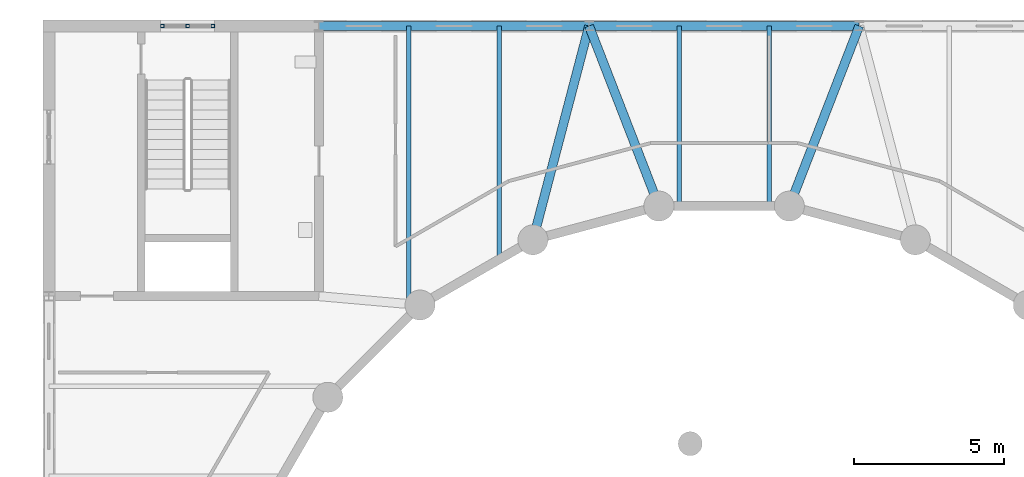
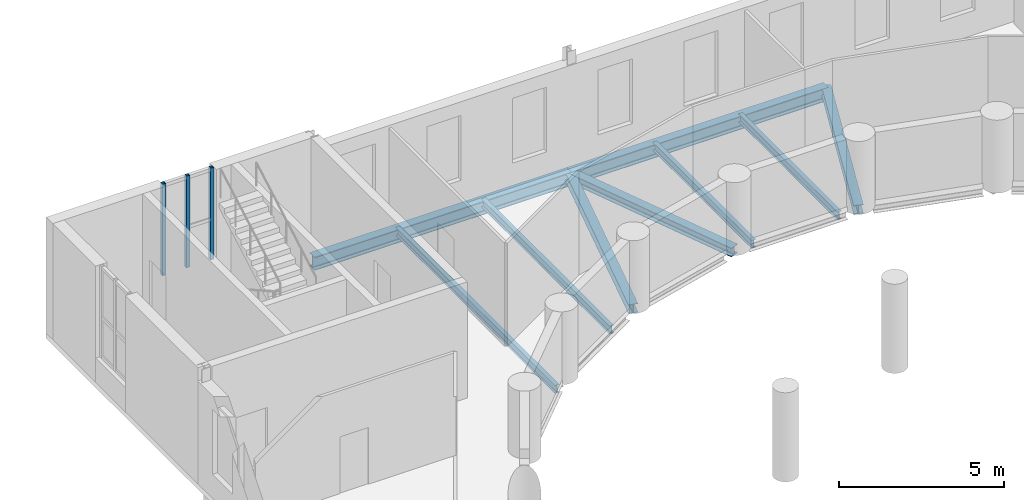
# One storey, part 48 of 134: 9 beams, 3 members, 1 element without a shape of its own.
"""IFC4 building model written with IfcOpenShell, lengths in metres."""

import ifcopenshell
import ifcopenshell.guid

model = None  # the IFC model being written
_history = None  # IfcOwnerHistory: only IFC2X3 demands one
_inside = {}  # id of a spatial element -> (the spatial element, [elements in it])
_under = {}  # id of a project, library or spatial element -> (it, [spatial elements below it])
_declared = {}  # id of a project -> (the project, [libraries it declares])
_typed = {}  # id of a type object -> (the type object, [elements of that type])
_made_of = {}  # id of a material, layer set ... -> (it, [elements and type objects made of it])


def new_model(schema):
    """Start an empty IFC model of exactly this schema.

    Asked for "IFC4X3", IfcOpenShell would pick the latest addendum, in which some entities
    have other attributes; the version numbers below select the first issue.
    IFC2X3 requires an IfcOwnerHistory on every rooted entity: one is made here for all.
    """
    global model, _history
    if schema == "IFC4X3":
        model = ifcopenshell.file(schema_version=(4, 3, 0, 0))
    else:
        model = ifcopenshell.file(schema=schema)
    _inside.clear()
    _under.clear()
    _declared.clear()
    _typed.clear()
    _made_of.clear()
    _history = None
    if model.schema == "IFC2X3":
        org = make("IfcOrganization", Name="unknown")
        user = make(
            "IfcPersonAndOrganization",
            ThePerson=make("IfcPerson", FamilyName="unknown"),
            TheOrganization=org,
        )
        app = make(
            "IfcApplication",
            ApplicationDeveloper=org,
            Version="unknown",
            ApplicationFullName="unknown",
            ApplicationIdentifier="unknown",
        )
        _history = make(
            "IfcOwnerHistory",
            OwningUser=user,
            OwningApplication=app,
            ChangeAction="ADDED",
            CreationDate=0,
        )
    return model


def make(cls, **values):
    """One entity of the class cls with the attributes given. An attribute that is None is left unset."""
    return model.create_entity(
        cls, **{name: value for name, value in values.items() if value is not None}
    )


def rooted(cls, **values):
    """An entity with a GlobalId (a new one), such as an element, a storey or a relation."""
    return make(cls, GlobalId=ifcopenshell.guid.new(), OwnerHistory=_history, **values)


def si_unit(unit_type, name, prefix=None):
    """IfcSIUnit, for example si_unit("LENGTHUNIT", "METRE", prefix="MILLI")."""
    return make("IfcSIUnit", UnitType=unit_type, Prefix=prefix, Name=name)


def assignment(units):
    """IfcUnitAssignment: the units of a project."""
    return None if units is None else make("IfcUnitAssignment", Units=units)


def point(xyz):
    """IfcCartesianPoint."""
    return None if xyz is None else make("IfcCartesianPoint", Coordinates=xyz)


def direction(xyz):
    """IfcDirection."""
    return None if xyz is None else make("IfcDirection", DirectionRatios=xyz)


def frame(location, z_axis=None, x_axis=None):
    """IfcAxis2Placement3D, a coordinate frame: its origin and axes. An axis left out is left unset."""
    return make(
        "IfcAxis2Placement3D",
        Location=point(location),
        Axis=direction(z_axis),
        RefDirection=direction(x_axis),
    )


def frame_2d(location, x_axis=None):
    """IfcAxis2Placement2D, a coordinate frame in the plane: its origin and x axis."""
    return make(
        "IfcAxis2Placement2D", Location=point(location), RefDirection=direction(x_axis)
    )


def origin():
    """The frame at (0, 0, 0) with its axes left unset."""
    return frame((0.0, 0.0, 0.0))


def origin_2d():
    """The frame at (0, 0) in the plane with its x axis left unset."""
    return frame_2d((0.0, 0.0))


def place(relative_to, where):
    """IfcLocalPlacement: puts the frame where relative to a parent placement (None: the world)."""
    return make(
        "IfcLocalPlacement", PlacementRelTo=relative_to, RelativePlacement=where
    )


def context(
    kind, dimensions, precision=None, world=None, true_north=None, identifier=None
):
    """IfcGeometricRepresentationContext, for example the 3D "Model" context."""
    return make(
        "IfcGeometricRepresentationContext",
        ContextIdentifier=identifier,
        ContextType=kind,
        CoordinateSpaceDimension=dimensions,
        Precision=precision,
        WorldCoordinateSystem=world,
        TrueNorth=true_north,
    )


def subcontext(parent, identifier, kind, view, scale=None):
    """IfcGeometricRepresentationSubContext, for example "Body" below "Model"."""
    return make(
        "IfcGeometricRepresentationSubContext",
        ContextIdentifier=identifier,
        ContextType=kind,
        ParentContext=parent,
        TargetScale=scale,
        TargetView=view,
    )


def project(units=None, contexts=None):
    """IfcProject with its units and contexts."""
    return rooted(
        "IfcProject",
        Name="project",
        RepresentationContexts=contexts,
        UnitsInContext=assignment(units),
    )


def spatial(cls, under=None, at=None, **own):
    """A site, building, storey or space (cls), placed at a placement, below another one or the project."""
    s = rooted(cls, ObjectPlacement=at, **own)
    if under is not None:
        _under.setdefault(under.id(), (under, []))[1].append(s)
    return s


def profile(cls, at=None, kind="AREA", **sizes):
    """A parametric profile (cls). Its sizes go by their IFC names, for example OverallWidth=200.0."""
    return make(cls, ProfileType=kind, Position=at, **sizes)


def hollow_rectangle(**sizes):
    """IfcRectangleHollowProfileDef."""
    return profile("IfcRectangleHollowProfileDef", **sizes)


def i_section(**sizes):
    """IfcIShapeProfileDef."""
    return profile("IfcIShapeProfileDef", **sizes)


def extrude(swept, where, along, depth):
    """IfcExtrudedAreaSolid: the profile swept, set in the frame where, extruded along a direction by depth."""
    return make(
        "IfcExtrudedAreaSolid",
        SweptArea=swept,
        Position=where,
        ExtrudedDirection=direction(along),
        Depth=depth,
    )


def shape(context_of_items, identifier, shape_type, items):
    """IfcShapeRepresentation: the items that make up one representation, for example the "Body"."""
    return make(
        "IfcShapeRepresentation",
        ContextOfItems=context_of_items,
        RepresentationIdentifier=identifier,
        RepresentationType=shape_type,
        Items=items,
    )


def material(Name=None, Category=None):
    """IfcMaterial."""
    return make("IfcMaterial", Name=Name, Category=Category)


def material_profile(
    of_material, cross_section, Name=None, Category=None, Priority=None
):
    """IfcMaterialProfile: a cross section and its material."""
    return make(
        "IfcMaterialProfile",
        Name=Name,
        Material=of_material,
        Profile=cross_section,
        Priority=Priority,
        Category=Category,
    )


def profile_set(profiles, Name=None, composite=None):
    """IfcMaterialProfileSet."""
    return make(
        "IfcMaterialProfileSet",
        Name=Name,
        MaterialProfiles=profiles,
        CompositeProfile=composite,
    )


def made_of(thing, what):
    """Note that an element or type object is made of a material, layer set ...; save() writes the relation."""
    if what is not None:
        _made_of.setdefault(what.id(), (what, []))[1].append(thing)
    return thing


def type_object(cls, material=None, **own):
    """A type object (cls), such as IfcWallType, which elements share."""
    return made_of(rooted(cls, **own), material)


def element(
    cls,
    number,
    at=None,
    inside=None,
    cuts=None,
    type_object=None,
    material=None,
    context=None,
    identifier="Body",
    shape_type=None,
    held_by="IfcProductDefinitionShape",
    body=None,
    shapes=None,
    **own,
):
    """One element of the class cls, such as IfcWall. Its Tag is "e" and its number.

    at: its placement. inside: the storey or other place that contains it. cuts: it is an
    opening in that element (IfcRelVoidsElement). A single representation is given by context,
    identifier, shape_type and body (its items); several are given by shapes. held_by: the class
    of the entity that holds the representations. save() writes the other relations.
    """
    e = rooted(cls, Tag="e%d" % number, ObjectPlacement=at, **own)
    if body is not None:
        shapes = [shape(context, identifier, shape_type, body)]
    if shapes is not None:
        e.Representation = make(held_by, Representations=shapes)
    if inside is not None:
        _inside.setdefault(inside.id(), (inside, []))[1].append(e)
    if cuts is not None:
        rooted(
            "IfcRelVoidsElement", RelatingBuildingElement=cuts, RelatedOpeningElement=e
        )
    if type_object is not None:
        _typed.setdefault(type_object.id(), (type_object, []))[1].append(e)
    return made_of(e, material)


def aggregate(whole, parts):
    """IfcRelAggregates: a whole, such as a stair, and the parts it consists of."""
    return rooted("IfcRelAggregates", RelatingObject=whole, RelatedObjects=parts)


def save(model, path):
    """Write the relations noted so far, then the file.

    IfcRelAggregates (storeys below a building ...), IfcRelContainedInSpatialStructure (elements
    in a storey), IfcRelDefinesByType, IfcRelAssociatesMaterial and IfcRelDeclares: one each for
    every whole, place, type object, material and project.
    """
    for whole, parts in _under.values():
        aggregate(whole, parts)
    for where, things in _inside.values():
        rooted(
            "IfcRelContainedInSpatialStructure",
            RelatedElements=things,
            RelatingStructure=where,
        )
    for kind, things in _typed.values():
        rooted("IfcRelDefinesByType", RelatedObjects=things, RelatingType=kind)
    for what, things in _made_of.values():
        rooted("IfcRelAssociatesMaterial", RelatedObjects=things, RelatingMaterial=what)
    for by, libraries in _declared.values():
        rooted("IfcRelDeclares", RelatingContext=by, RelatedDefinitions=libraries)
    model.write(path)


model = new_model("IFC4")

# Units and contexts
model_context = context("Model", 3, precision=1e-05, world=origin(), true_north=direction((0.0, 1.0)))
body_context = subcontext(model_context, "Body", "Model", "MODEL_VIEW")
ifc_project = project(units=[si_unit("LENGTHUNIT", "METRE"), si_unit("AREAUNIT", "SQUARE_METRE"), si_unit("VOLUMEUNIT", "CUBIC_METRE"), si_unit("PLANEANGLEUNIT", "RADIAN"), si_unit("MASSUNIT", "GRAM", prefix="KILO")], contexts=[model_context])

# Site, building, storey
site_placement = place(None, origin())
site = spatial("IfcSite", under=ifc_project, at=site_placement, CompositionType="ELEMENT")
building_placement = place(site_placement, origin())
building = spatial("IfcBuilding", under=site, at=building_placement, Name="Golden Quay Civic Hall", CompositionType="ELEMENT")
storey_placement = place(building_placement, frame((0.0, 0.0, 5.39990234375)))
storey = spatial("IfcBuildingStorey", under=building, at=storey_placement, Name="L01", CompositionType="ELEMENT", Elevation=5.39990234375)

# Curtain wall, members
ifc_material_1 = material(Name="Fire-resisting glass and steel", Category="steel")
curtain_wall_type = type_object("IfcCurtainWallType", Name="Fire-resisting glazed stair curtain wall EI 120", PredefinedType="NOTDEFINED", material=ifc_material_1)
curtain_wall_placement = place(storey_placement, origin())
curtain_wall = element("IfcCurtainWall", 1, at=curtain_wall_placement, inside=storey, type_object=curtain_wall_type, Name="CW4 stair curtain wall", PredefinedType="NOTDEFINED")
ifc_material_2 = material(Name="Steel S355", Category="steel")
ifc_material_profile_1 = material_profile(ifc_material_2, hollow_rectangle(XDim=0.1201171875, YDim=0.1201171875, WallThickness=0.012451171875, at=origin_2d()), Name="SHS 120x120x12.5")
ifc_profile_set_1 = profile_set([ifc_material_profile_1], Name="Steel S355")
member_type = type_object("IfcMemberType", Name="Fire-resisting steel stair mullion 120 x 120", PredefinedType="MULLION", material=ifc_profile_set_1)
member_1_placement = place(storey_placement, frame((66.784912109375, 108.0, 0.900146484375), z_axis=(0.0, 0.0, 1.0), x_axis=(0.0, 1.0, 0.0)))
member_1 = element("IfcMember", 2, at=member_1_placement, type_object=member_type, Name="CW4 mullion 1", PredefinedType="MULLION", context=body_context, shape_type="SweptSolid", body=[
    extrude(hollow_rectangle(XDim=0.1201171875, YDim=0.1201171875, WallThickness=0.012451171875, at=origin_2d()), origin(), (0.0, 0.0, 1.0), 3.39990234375),
])
member_2_placement = place(storey_placement, frame((67.625, 108.0, 0.900146484375), z_axis=(0.0, 0.0, 1.0), x_axis=(0.0, 1.0, 0.0)))
member_2 = element("IfcMember", 3, at=member_2_placement, type_object=member_type, Name="CW4 mullion 2", PredefinedType="MULLION", context=body_context, shape_type="SweptSolid", body=[
    extrude(hollow_rectangle(XDim=0.1201171875, YDim=0.1201171875, WallThickness=0.012451171875, at=origin_2d()), origin(), (0.0, 0.0, 1.0), 3.39990234375),
])
member_3_placement = place(storey_placement, frame((68.465087890625, 108.0, 0.900146484375), z_axis=(0.0, 0.0, 1.0), x_axis=(0.0, 1.0, 0.0)))
member_3 = element("IfcMember", 4, at=member_3_placement, type_object=member_type, Name="CW4 mullion 3", PredefinedType="MULLION", context=body_context, shape_type="SweptSolid", body=[
    extrude(hollow_rectangle(XDim=0.1201171875, YDim=0.1201171875, WallThickness=0.012451171875, at=origin_2d()), origin(), (0.0, 0.0, 1.0), 3.39990234375),
])
aggregate(curtain_wall, [member_1, member_2, member_3])

# Beams
ifc_material_3 = material(Name="Steel S355", Category="steel")
ifc_material_profile_2 = material_profile(ifc_material_3, i_section(OverallWidth=0.300048828125, OverallDepth=0.330078125, WebThickness=0.009521484375, FlangeThickness=0.0166015625, FilletRadius=0.027099609375, at=origin_2d()), Name="HEA 340")
ifc_profile_set_2 = profile_set([ifc_material_profile_2], Name="Steel S355")
beam_type_1 = type_object("IfcBeamType", Name="Steel girder HEA 340", PredefinedType="BEAM", material=ifc_profile_set_2)
beam_1_placement = place(storey_placement, frame((81.0, 108.0, -0.364990234375), z_axis=(0.361677257017, -0.932303363588, 0.0), x_axis=(0.932303363588, 0.361677257017, 0.0)))
element("IfcBeam", 5, at=beam_1_placement, inside=storey, type_object=beam_type_1, Name="Radial girder 5", PredefinedType="BEAM", context=body_context, shape_type="SweptSolid", body=[
    extrude(i_section(OverallWidth=0.300048828125, OverallDepth=0.330078125, WebThickness=0.009521484375, FlangeThickness=0.0166015625, FilletRadius=0.027099609375, at=origin_2d()), origin(), (0.0, 0.0, 1.0), 6.435791015625),
])
beam_2_placement = place(storey_placement, frame((81.0, 108.0, -0.364990234375), z_axis=(-0.253703537011, -0.9672820247, 0.0), x_axis=(0.9672820247, -0.253703537011, 0.0)))
element("IfcBeam", 6, at=beam_2_placement, inside=storey, type_object=beam_type_1, Name="Radial girder 6", PredefinedType="BEAM", context=body_context, shape_type="SweptSolid", body=[
    extrude(i_section(OverallWidth=0.300048828125, OverallDepth=0.330078125, WebThickness=0.009521484375, FlangeThickness=0.0166015625, FilletRadius=0.027099609375, at=origin_2d()), origin(), (0.0, 0.0, 1.0), 7.365478515625),
])
beam_3_placement = place(storey_placement, frame((90.0, 108.0, -0.364990234375), z_axis=(-0.361677257017, -0.932303363588, 0.0), x_axis=(0.932303363588, -0.361677257017, 0.0)))
element("IfcBeam", 7, at=beam_3_placement, inside=storey, type_object=beam_type_1, Name="Radial girder 7", PredefinedType="BEAM", context=body_context, shape_type="SweptSolid", body=[
    extrude(i_section(OverallWidth=0.300048828125, OverallDepth=0.330078125, WebThickness=0.009521484375, FlangeThickness=0.0166015625, FilletRadius=0.027099609375, at=origin_2d()), origin(), (0.0, 0.0, 1.0), 6.435791015625),
])
ifc_material_4 = material(Name="Steel S355", Category="steel")
ifc_material_profile_3 = material_profile(ifc_material_4, i_section(OverallWidth=0.300048828125, OverallDepth=0.489990234375, WebThickness=0.011962890625, FlangeThickness=0.02294921875, FilletRadius=0.027099609375, at=origin_2d()), Name="HEA 500")
ifc_profile_set_3 = profile_set([ifc_material_profile_3], Name="Steel S355")
beam_type_2 = type_object("IfcBeamType", Name="Steel girder HEA 500", PredefinedType="BEAM", material=ifc_profile_set_3)
for number, where, z_axis, x_axis, name in (
    (8, (72.0, 108.0, -0.44482421875), (1.0, 0.0, 0.0), (0.0, 1.0, 0.0), "Perimeter girder 2"),
    (9, (81.0, 108.0, -0.44482421875), (1.0, 0.0, 0.0), (0.0, 1.0, 0.0), "Perimeter girder 6"),
):
    element("IfcBeam", number, at=place(storey_placement, frame(where, z_axis=z_axis, x_axis=x_axis)), inside=storey, type_object=beam_type_2, Name=name, PredefinedType="BEAM", context=body_context, shape_type="SweptSolid", body=[
        extrude(i_section(OverallWidth=0.300048828125, OverallDepth=0.489990234375, WebThickness=0.011962890625, FlangeThickness=0.02294921875, FilletRadius=0.027099609375, at=origin_2d()), origin(), (0.0, 0.0, 1.0), 9.0),
    ])
ifc_material_5 = material(Name="Steel S355", Category="steel")
ifc_material_profile_4 = material_profile(ifc_material_5, i_section(OverallWidth=0.14990234375, OverallDepth=0.300048828125, WebThickness=0.007080078125, FlangeThickness=0.0107421875, FilletRadius=0.014892578125, at=origin_2d()), Name="IPE 300")
ifc_profile_set_4 = profile_set([ifc_material_profile_4], Name="Steel S355")
beam_type_3 = type_object("IfcBeamType", Name="Steel joist IPE 300", PredefinedType="JOIST", material=ifc_profile_set_4)
beam_4_placement = place(storey_placement, frame((75.0, 108.0, -0.349853515625), z_axis=(0.0, -1.0, 0.0), x_axis=(1.0, 0.0, 0.0)))
element("IfcBeam", 10, at=beam_4_placement, inside=storey, type_object=beam_type_3, Name="Floor joist 7", PredefinedType="JOIST", context=body_context, shape_type="SweptSolid", body=[
    extrude(i_section(OverallWidth=0.14990234375, OverallDepth=0.300048828125, WebThickness=0.007080078125, FlangeThickness=0.0107421875, FilletRadius=0.014892578125, at=origin_2d()), origin(), (0.0, 0.0, 1.0), 9.66552734375),
])
beam_5_placement = place(storey_placement, frame((78.0, 108.0, -0.349853515625), z_axis=(0.0, -1.0, 0.0), x_axis=(1.0, 0.0, 0.0)))
element("IfcBeam", 11, at=beam_5_placement, inside=storey, type_object=beam_type_3, Name="Floor joist 8", PredefinedType="JOIST", context=body_context, shape_type="SweptSolid", body=[
    extrude(i_section(OverallWidth=0.14990234375, OverallDepth=0.300048828125, WebThickness=0.007080078125, FlangeThickness=0.0107421875, FilletRadius=0.014892578125, at=origin_2d()), origin(), (0.0, 0.0, 1.0), 7.777587890625),
])
for number, where, z_axis, x_axis, name in (
    (12, (84.0, 108.0, -0.349853515625), (0.0, -1.0, 0.0), (1.0, 0.0, 0.0), "Floor joist 9"),
    (13, (87.0, 108.0, -0.349853515625), (0.0, -1.0, 0.0), (1.0, 0.0, 0.0), "Floor joist 10"),
):
    element("IfcBeam", number, at=place(storey_placement, frame(where, z_axis=z_axis, x_axis=x_axis)), inside=storey, type_object=beam_type_3, Name=name, PredefinedType="JOIST", context=body_context, shape_type="SweptSolid", body=[
        extrude(i_section(OverallWidth=0.14990234375, OverallDepth=0.300048828125, WebThickness=0.007080078125, FlangeThickness=0.0107421875, FilletRadius=0.014892578125, at=origin_2d()), origin(), (0.0, 0.0, 1.0), 6.0),
    ])

save(model, "model.ifc")
